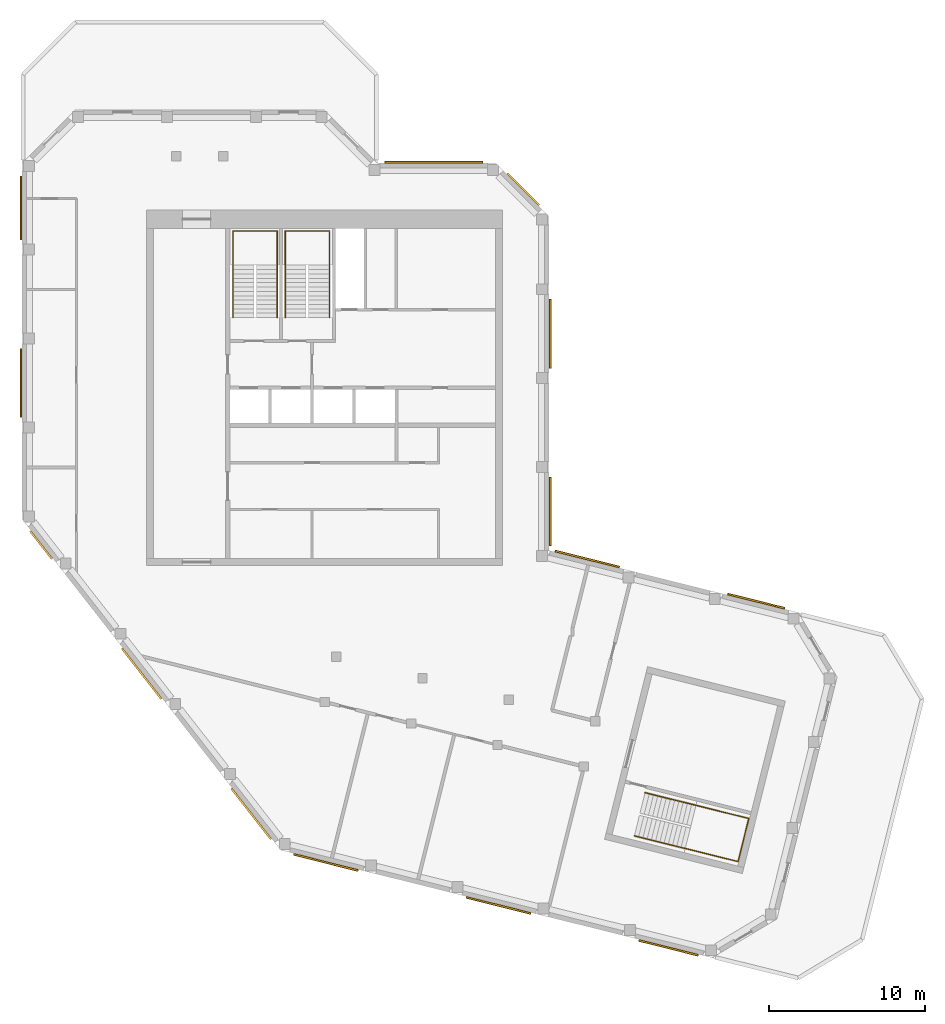
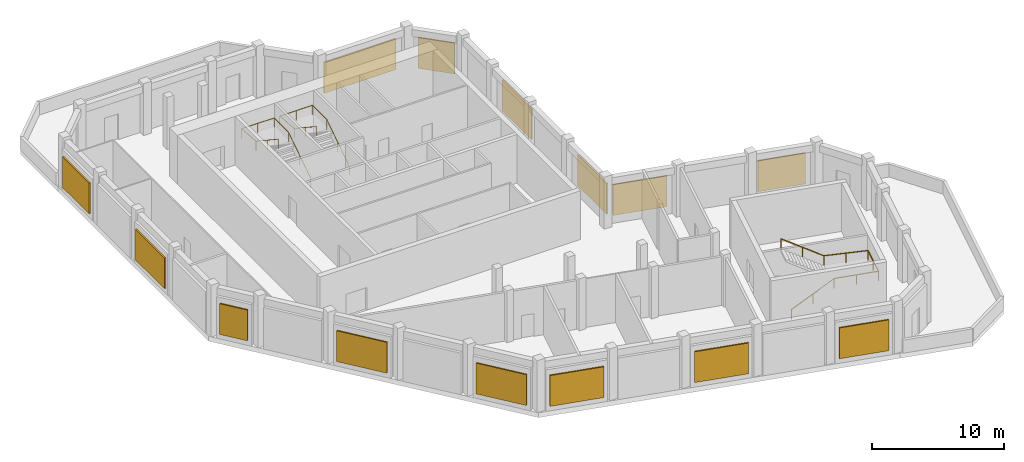
# One storey, part 5 of 5: 14 shading devices, 3 railings.
"""IFC4 building model written with IfcOpenShell, lengths in metres."""

from ifc_helpers import new_model, si_unit, direction, frame, origin, origin_2d, place, context, subcontext, project, spatial, rectangle, circle, extrude, material, layer, layer_set, type_object, element, save


model = new_model("IFC4")

# Units and contexts
model_context = context("Model", 3, precision=1e-05, world=origin(), true_north=direction((0.0, 1.0)))
body_context = subcontext(model_context, "Body", "Model", "MODEL_VIEW")
ifc_project = project(units=[si_unit("LENGTHUNIT", "METRE"), si_unit("AREAUNIT", "SQUARE_METRE"), si_unit("VOLUMEUNIT", "CUBIC_METRE"), si_unit("PLANEANGLEUNIT", "RADIAN"), si_unit("MASSUNIT", "GRAM", prefix="KILO")], contexts=[model_context])

# Site, building, storey
site_placement = place(None, origin())
site = spatial("IfcSite", under=ifc_project, at=site_placement, CompositionType="ELEMENT")
building_placement = place(site_placement, origin())
building = spatial("IfcBuilding", under=site, at=building_placement, Name="Meshkara Civic Tower", CompositionType="ELEMENT")
storey_placement = place(building_placement, frame((0.0, 0.0, 409.800048828125)))
storey = spatial("IfcBuildingStorey", under=building, at=storey_placement, Name="L94 Crown", CompositionType="ELEMENT", Elevation=409.800048828125)

# Shading devices
ifc_material_1 = material(Name="Bronze anodised aluminium louvre blades", Category="aluminium")
ifc_layer = layer(ifc_material_1, 0.1201171875)
ifc_layer_set = layer_set([ifc_layer], Name="CROWN LOUVRE BANK")
shading_device_type = type_object("IfcShadingDeviceType", Name="CROWN LOUVRE BANK", PredefinedType="USERDEFINED", material=ifc_layer_set)
shading_device_1_placement = place(storey_placement, frame((47.06396484375, 11.824951171875, 0.5), z_axis=(0.0, 0.0, 1.0), x_axis=(-0.970287281018, 0.241955765163, 0.0)))
element("IfcShadingDevice", 1, at=shading_device_1_placement, inside=storey, type_object=shading_device_type, Name="Louvre bank", ObjectType="LOUVRE", PredefinedType="USERDEFINED", context=body_context, shape_type="SweptSolid", body=[
    extrude(rectangle(XDim=3.76611328125, YDim=0.1201171875, at=origin_2d()), origin(), (0.0, 0.0, 1.0), 2.85009765625),
])
shading_device_2_placement = place(storey_placement, frame((36.239013671875, 14.52490234375, 0.5), z_axis=(0.0, 0.0, 1.0), x_axis=(-0.970287281018, 0.241955765163, 0.0)))
element("IfcShadingDevice", 2, at=shading_device_2_placement, inside=storey, type_object=shading_device_type, Name="Louvre bank", ObjectType="LOUVRE", PredefinedType="USERDEFINED", context=body_context, shape_type="SweptSolid", body=[
    extrude(rectangle(XDim=4.251953125, YDim=0.1201171875, at=origin_2d()), origin(), (0.0, 0.0, 1.0), 2.85009765625),
])
for number, where, z_axis, x_axis, name in (
    (3, (33.860107421875, 17.569091796875, 0.5), (0.0, 0.0, 1.0), (0.0, 1.0, 0.0), "Louvre bank"),
    (4, (33.860107421875, 28.968994140625, 0.5), (0.0, 0.0, 1.0), (0.0, 1.0, 0.0), "Louvre bank"),
):
    element("IfcShadingDevice", number, at=place(storey_placement, frame(where, z_axis=z_axis, x_axis=x_axis)), inside=storey, type_object=shading_device_type, Name=name, ObjectType="LOUVRE", PredefinedType="USERDEFINED", context=body_context, shape_type="SweptSolid", body=[
        extrude(rectangle(XDim=4.39990234375, YDim=0.1201171875, at=origin_2d()), origin(), (0.0, 0.0, 1.0), 2.85009765625),
    ])
shading_device_3_placement = place(storey_placement, frame((32.132080078125, 38.23193359375, 0.5), z_axis=(0.0, 0.0, 1.0), x_axis=(-0.707106781187, 0.707106781187, 0.0)))
element("IfcShadingDevice", 5, at=shading_device_3_placement, inside=storey, type_object=shading_device_type, Name="Louvre bank", ObjectType="LOUVRE", PredefinedType="USERDEFINED", context=body_context, shape_type="SweptSolid", body=[
    extrude(rectangle(XDim=2.873046875, YDim=0.1201171875, at=origin_2d()), origin(), (0.0, 0.0, 1.0), 2.85009765625),
])
shading_device_4_placement = place(storey_placement, frame((26.404052734375, 39.9599609375, 0.5), z_axis=(0.0, 0.0, 1.0), x_axis=(-1.0, 0.0, 0.0)))
element("IfcShadingDevice", 6, at=shading_device_4_placement, inside=storey, type_object=shading_device_type, Name="Louvre bank", ObjectType="LOUVRE", PredefinedType="USERDEFINED", context=body_context, shape_type="SweptSolid", body=[
    extrude(rectangle(XDim=6.280029296875, YDim=0.1201171875, at=origin_2d()), origin(), (0.0, 0.0, 1.0), 2.85009765625),
])
shading_device_5_placement = place(storey_placement, frame((-0.06005859375, 37.033935546875, 0.5), z_axis=(0.0, 0.0, 1.0), x_axis=(0.0, -1.0, 0.0)))
element("IfcShadingDevice", 7, at=shading_device_5_placement, inside=storey, type_object=shading_device_type, Name="Louvre bank", ObjectType="LOUVRE", PredefinedType="USERDEFINED", context=body_context, shape_type="SweptSolid", body=[
    extrude(rectangle(XDim=4.05908203125, YDim=0.1201171875, at=origin_2d()), origin(), (0.0, 0.0, 1.0), 2.85009765625),
])
shading_device_6_placement = place(storey_placement, frame((-0.06005859375, 25.804931640625, 0.5), z_axis=(0.0, 0.0, 1.0), x_axis=(0.0, -1.0, 0.0)))
element("IfcShadingDevice", 8, at=shading_device_6_placement, inside=storey, type_object=shading_device_type, Name="Louvre bank", ObjectType="LOUVRE", PredefinedType="USERDEFINED", context=body_context, shape_type="SweptSolid", body=[
    extrude(rectangle(XDim=4.39990234375, YDim=0.1201171875, at=origin_2d()), origin(), (0.0, 0.0, 1.0), 2.85009765625),
])
shading_device_7_placement = place(storey_placement, frame((1.22998046875, 15.427978515625, 0.5), z_axis=(0.0, 0.0, 1.0), x_axis=(0.615661475326, -0.788010753607, 0.0)))
element("IfcShadingDevice", 9, at=shading_device_7_placement, inside=storey, type_object=shading_device_type, Name="Louvre bank", ObjectType="LOUVRE", PredefinedType="USERDEFINED", context=body_context, shape_type="SweptSolid", body=[
    extrude(rectangle(XDim=2.257080078125, YDim=0.1201171875, at=origin_2d()), origin(), (0.0, 0.0, 1.0), 2.85009765625),
])
for number, where, z_axis, x_axis, name in (
    (10, (7.676025390625, 7.177001953125, 0.5), (0.0, 0.0, 1.0), (0.615661475326, -0.788010753607, 0.0), "Louvre bank"),
    (11, (14.695068359375, -1.805908203125, 0.5), (0.0, 0.0, 1.0), (0.615661475326, -0.788010753607, 0.0), "Louvre bank"),
):
    element("IfcShadingDevice", number, at=place(storey_placement, frame(where, z_axis=z_axis, x_axis=x_axis)), inside=storey, type_object=shading_device_type, Name=name, ObjectType="LOUVRE", PredefinedType="USERDEFINED", context=body_context, shape_type="SweptSolid", body=[
        extrude(rectangle(XDim=4.117919921875, YDim=0.1201171875, at=origin_2d()), origin(), (0.0, 0.0, 1.0), 2.85009765625),
    ])
for number, where, z_axis, x_axis, name in (
    (12, (19.492919921875, -4.922119140625, 0.5), (0.0, 0.0, 1.0), (0.970291503795, -0.241938830418, 0.0), "Louvre bank"),
    (13, (30.553955078125, -7.679931640625, 0.5), (0.0, 0.0, 1.0), (0.970291503795, -0.241938830418, 0.0), "Louvre bank"),
):
    element("IfcShadingDevice", number, at=place(storey_placement, frame(where, z_axis=z_axis, x_axis=x_axis)), inside=storey, type_object=shading_device_type, Name=name, ObjectType="LOUVRE", PredefinedType="USERDEFINED", context=body_context, shape_type="SweptSolid", body=[
        extrude(rectangle(XDim=4.251953125, YDim=0.1201171875, at=origin_2d()), origin(), (0.0, 0.0, 1.0), 2.85009765625),
    ])
shading_device_8_placement = place(storey_placement, frame((41.449951171875, -10.39697265625, 0.5), z_axis=(0.0, 0.0, 1.0), x_axis=(0.970291503795, -0.241938830418, 0.0)))
element("IfcShadingDevice", 14, at=shading_device_8_placement, inside=storey, type_object=shading_device_type, Name="Louvre bank", ObjectType="LOUVRE", PredefinedType="USERDEFINED", context=body_context, shape_type="SweptSolid", body=[
    extrude(rectangle(XDim=3.909912109375, YDim=0.1201171875, at=origin_2d()), origin(), (0.0, 0.0, 1.0), 2.85009765625),
])

# Railings
ifc_material_2 = material(Name="Steel handrail", Category="steel")
railing_type = type_object("IfcRailingType", Name="Stair handrail 900", PredefinedType="HANDRAIL", material=ifc_material_2)
railing_1_placement = place(storey_placement, frame((16.375, 30.0, 0.1845703125)))
element("IfcRailing", 15, at=railing_1_placement, inside=storey, type_object=railing_type, Name="L94 Crown ST1 stair handrail 1", PredefinedType="HANDRAIL", context=body_context, shape_type="SweptSolid", body=[
    extrude(circle(Radius=0.02392578125, at=origin_2d()), frame((0.0, 0.0, 0.8759765625), z_axis=(0.0, 0.834876476806, 0.550437342915), x_axis=(-1.0, 0.0, 0.0)), (0.0, 0.0, 1.0), 4.024658203125),
    extrude(circle(Radius=0.02392578125, at=origin_2d()), frame((0.0, 3.360107421875, 3.09130859375), z_axis=(0.0, 1.0, 0.0), x_axis=(-1.0, 0.0, 0.0)), (0.0, 0.0, 1.0), 2.18994140625),
    extrude(circle(Radius=0.02392578125, at=origin_2d()), frame((0.0, 5.550048828125, 3.09130859375), z_axis=(-1.0, 0.0, 0.0), x_axis=(0.0, -1.0, 0.0)), (0.0, 0.0, 1.0), 2.85009765625),
    extrude(circle(Radius=0.02392578125, at=origin_2d()), frame((-2.85009765625, 5.550048828125, 3.09130859375), z_axis=(0.0, -0.996467171765, 0.083983186383), x_axis=(1.0, 0.0, 0.0)), (0.0, 0.0, 1.0), 2.19775390625),
    extrude(circle(Radius=0.02392578125, at=origin_2d()), frame((-2.85009765625, 3.360107421875, 3.27587890625), z_axis=(0.0, -0.834848600103, 0.550479622607), x_axis=(1.0, 0.0, 0.0)), (0.0, 0.0, 1.0), 4.02490234375),
    extrude(circle(Radius=0.02099609375, at=origin_2d()), origin(), (0.0, 0.0, 1.0), 0.851806640625),
    extrude(circle(Radius=0.02099609375, at=origin_2d()), frame((0.0, 1.68017578125, 1.107666015625)), (0.0, 0.0, 1.0), 0.851806640625),
    extrude(circle(Radius=0.02099609375, at=origin_2d()), frame((0.0, 3.360107421875, 2.21533203125)), (0.0, 0.0, 1.0), 0.851806640625),
    extrude(circle(Radius=0.02099609375, at=origin_2d()), frame((0.0, 5.550048828125, 2.21533203125)), (0.0, 0.0, 1.0), 0.851806640625),
    extrude(circle(Radius=0.02099609375, at=origin_2d()), frame((-1.425048828125, 5.550048828125, 2.21533203125)), (0.0, 0.0, 1.0), 0.851806640625),
    extrude(circle(Radius=0.02099609375, at=origin_2d()), frame((-2.85009765625, 5.550048828125, 2.21533203125)), (0.0, 0.0, 1.0), 0.851806640625),
    extrude(circle(Radius=0.02099609375, at=origin_2d()), frame((-2.85009765625, 3.360107421875, 2.39990234375)), (0.0, 0.0, 1.0), 0.851806640625),
    extrude(circle(Radius=0.02099609375, at=origin_2d()), frame((-2.85009765625, 1.68017578125, 3.5078125)), (0.0, 0.0, 1.0), 0.851806640625),
    extrude(circle(Radius=0.02099609375, at=origin_2d()), frame((-2.85009765625, 0.0, 4.615478515625)), (0.0, 0.0, 1.0), 0.851806640625),
])
railing_2_placement = place(storey_placement, frame((19.72509765625, 30.0, 0.1845703125)))
element("IfcRailing", 16, at=railing_2_placement, inside=storey, type_object=railing_type, Name="L94 Crown ST2 stair handrail 1", PredefinedType="HANDRAIL", context=body_context, shape_type="SweptSolid", body=[
    extrude(circle(Radius=0.02392578125, at=origin_2d()), frame((0.0, 0.0, 0.8759765625), z_axis=(0.0, 0.834876476806, 0.550437342915), x_axis=(-1.0, 0.0, 0.0)), (0.0, 0.0, 1.0), 4.024658203125),
    extrude(circle(Radius=0.02392578125, at=origin_2d()), frame((0.0, 3.360107421875, 3.09130859375), z_axis=(0.0, 1.0, 0.0), x_axis=(-1.0, 0.0, 0.0)), (0.0, 0.0, 1.0), 2.18994140625),
    extrude(circle(Radius=0.02392578125, at=origin_2d()), frame((0.0, 5.550048828125, 3.09130859375), z_axis=(-1.0, 0.0, 0.0), x_axis=(0.0, -1.0, 0.0)), (0.0, 0.0, 1.0), 2.85009765625),
    extrude(circle(Radius=0.02392578125, at=origin_2d()), frame((-2.85009765625, 5.550048828125, 3.09130859375), z_axis=(0.0, -0.996467171765, 0.083983186383), x_axis=(1.0, 0.0, 0.0)), (0.0, 0.0, 1.0), 2.19775390625),
    extrude(circle(Radius=0.02392578125, at=origin_2d()), frame((-2.85009765625, 3.360107421875, 3.27587890625), z_axis=(0.0, -0.834848600103, 0.550479622607), x_axis=(1.0, 0.0, 0.0)), (0.0, 0.0, 1.0), 4.02490234375),
    extrude(circle(Radius=0.02099609375, at=origin_2d()), origin(), (0.0, 0.0, 1.0), 0.851806640625),
    extrude(circle(Radius=0.02099609375, at=origin_2d()), frame((0.0, 1.68017578125, 1.107666015625)), (0.0, 0.0, 1.0), 0.851806640625),
    extrude(circle(Radius=0.02099609375, at=origin_2d()), frame((0.0, 3.360107421875, 2.21533203125)), (0.0, 0.0, 1.0), 0.851806640625),
    extrude(circle(Radius=0.02099609375, at=origin_2d()), frame((0.0, 5.550048828125, 2.21533203125)), (0.0, 0.0, 1.0), 0.851806640625),
    extrude(circle(Radius=0.02099609375, at=origin_2d()), frame((-1.425048828125, 5.550048828125, 2.21533203125)), (0.0, 0.0, 1.0), 0.851806640625),
    extrude(circle(Radius=0.02099609375, at=origin_2d()), frame((-2.85009765625, 5.550048828125, 2.21533203125)), (0.0, 0.0, 1.0), 0.851806640625),
    extrude(circle(Radius=0.02099609375, at=origin_2d()), frame((-2.85009765625, 3.360107421875, 2.39990234375)), (0.0, 0.0, 1.0), 0.851806640625),
    extrude(circle(Radius=0.02099609375, at=origin_2d()), frame((-2.85009765625, 1.68017578125, 3.5078125)), (0.0, 0.0, 1.0), 0.851806640625),
    extrude(circle(Radius=0.02099609375, at=origin_2d()), frame((-2.85009765625, 0.0, 4.615478515625)), (0.0, 0.0, 1.0), 0.851806640625),
])
railing_3_placement = place(storey_placement, frame((39.259033203125, -3.217529296875, 0.1845703125)))
element("IfcRailing", 17, at=railing_3_placement, inside=storey, type_object=railing_type, Name="L94 Crown ESB8 stair handrail 1", PredefinedType="HANDRAIL", context=body_context, shape_type="SweptSolid", body=[
    extrude(circle(Radius=0.02392578125, at=origin_2d()), frame((0.0, 0.0, 0.8759765625), z_axis=(0.810250515614, -0.201273580206, 0.550438959248), x_axis=(0.241082175278, 0.970504706204, 0.0)), (0.0, 0.0, 1.0), 4.024658203125),
    extrude(circle(Radius=0.02392578125, at=origin_2d()), frame((3.260986328125, -0.81005859375, 3.09130859375), z_axis=(0.970491268272, -0.241136264812, 0.0), x_axis=(0.241136264812, 0.970491268272, 0.0)), (0.0, 0.0, 1.0), 3.489990234375),
    extrude(circle(Radius=0.02392578125, at=origin_2d()), frame((6.64794921875, -1.651611328125, 3.09130859375), z_axis=(0.241144593077, 0.970489198925, 0.0), x_axis=(-0.970489198925, 0.241144593077, 0.0)), (0.0, 0.0, 1.0), 2.849853515625),
    extrude(circle(Radius=0.02392578125, at=origin_2d()), frame((7.335205078125, 1.1142578125, 3.09130859375), z_axis=(-0.969136896612, 0.240799746459, 0.05281247703), x_axis=(-0.241136264812, -0.970491268272, 0.0)), (0.0, 0.0, 1.0), 3.494873046875),
    extrude(circle(Radius=0.02392578125, at=origin_2d()), frame((3.9482421875, 1.955810546875, 3.27587890625), z_axis=(-0.810223461018, 0.201266859599, 0.550481238956), x_axis=(-0.241082175278, -0.970504706204, 0.0)), (0.0, 0.0, 1.0), 4.02490234375),
    extrude(circle(Radius=0.02099609375, at=origin_2d()), origin(), (0.0, 0.0, 1.0), 0.851806640625),
    extrude(circle(Radius=0.02099609375, at=origin_2d()), frame((1.63037109375, -0.405029296875, 1.107666015625)), (0.0, 0.0, 1.0), 0.851806640625),
    extrude(circle(Radius=0.02099609375, at=origin_2d()), frame((3.260986328125, -0.81005859375, 2.21533203125)), (0.0, 0.0, 1.0), 0.851806640625),
    extrude(circle(Radius=0.02099609375, at=origin_2d()), frame((4.95458984375, -1.23095703125, 2.21533203125)), (0.0, 0.0, 1.0), 0.851806640625),
    extrude(circle(Radius=0.02099609375, at=origin_2d()), frame((6.64794921875, -1.651611328125, 2.21533203125)), (0.0, 0.0, 1.0), 0.851806640625),
    extrude(circle(Radius=0.02099609375, at=origin_2d()), frame((6.99169921875, -0.2685546875, 2.21533203125)), (0.0, 0.0, 1.0), 0.851806640625),
    extrude(circle(Radius=0.02099609375, at=origin_2d()), frame((7.335205078125, 1.1142578125, 2.21533203125)), (0.0, 0.0, 1.0), 0.851806640625),
    extrude(circle(Radius=0.02099609375, at=origin_2d()), frame((5.6416015625, 1.53515625, 2.3076171875)), (0.0, 0.0, 1.0), 0.851806640625),
    extrude(circle(Radius=0.02099609375, at=origin_2d()), frame((3.9482421875, 1.955810546875, 2.39990234375)), (0.0, 0.0, 1.0), 0.851806640625),
    extrude(circle(Radius=0.02099609375, at=origin_2d()), frame((2.31787109375, 2.36083984375, 3.5078125)), (0.0, 0.0, 1.0), 0.851806640625),
    extrude(circle(Radius=0.02099609375, at=origin_2d()), frame((0.687255859375, 2.765869140625, 4.615478515625)), (0.0, 0.0, 1.0), 0.851806640625),
])

save(model, "model.ifc")
